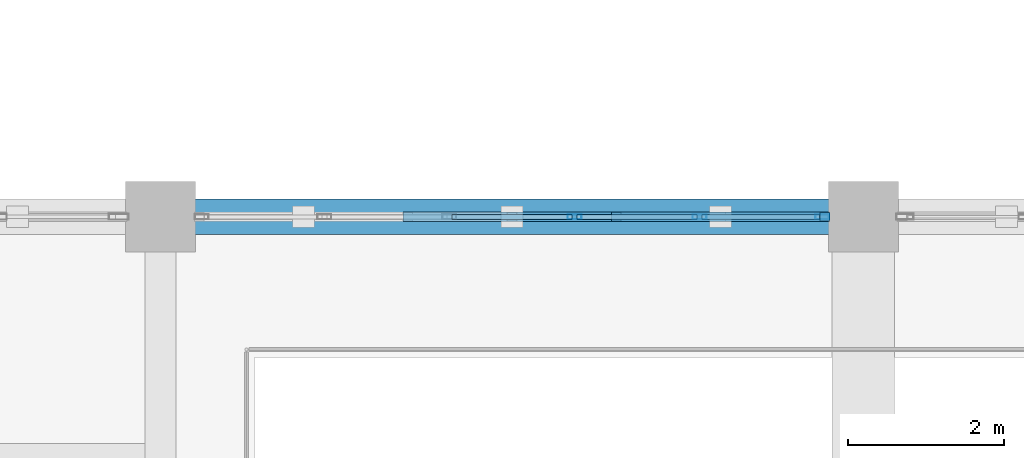
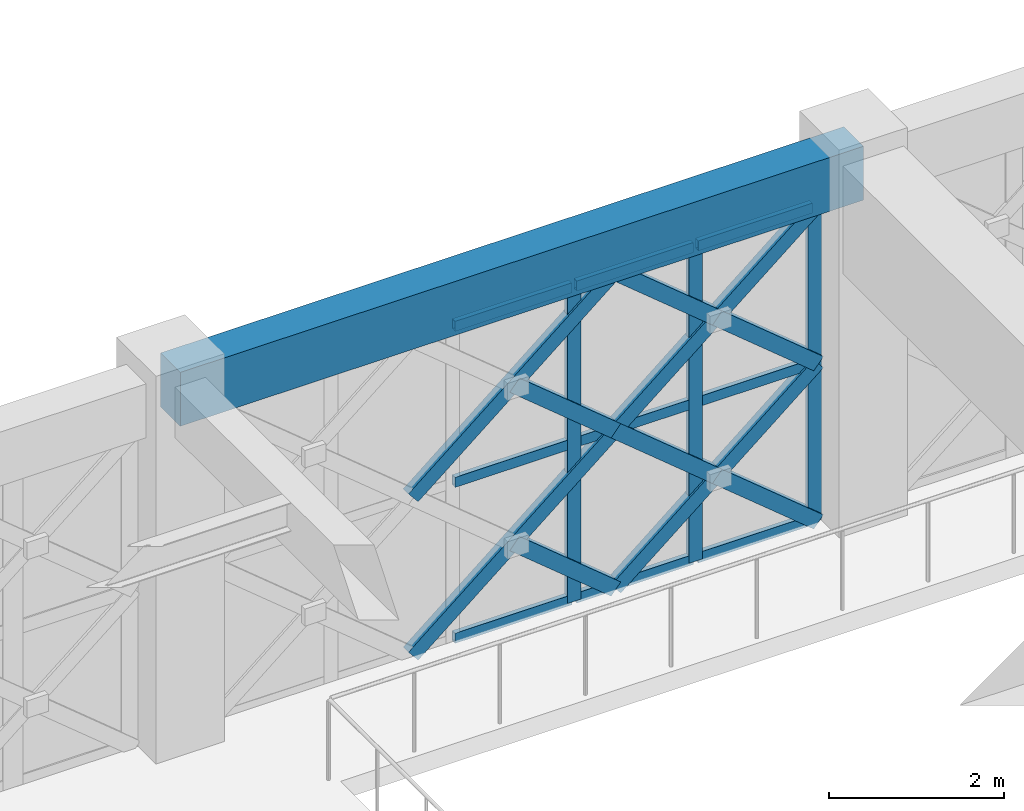
# One storey, part 60 of 155: 22 members, 1 beam, 1 element without a shape of its own.
"""IFC4 building model written with IfcOpenShell, lengths in metres."""

from ifc_helpers import new_model, si_unit, direction, frame, origin, origin_2d, place, context, subcontext, project, spatial, rectangle, hollow_rectangle, extrude, material, material_profile, profile_set, type_object, element, aggregate, save


model = new_model("IFC4")

# Units and contexts
model_context = context("Model", 3, precision=1e-05, world=origin(), true_north=direction((0.0, 1.0)))
body_context = subcontext(model_context, "Body", "Model", "MODEL_VIEW")
ifc_project = project(units=[si_unit("LENGTHUNIT", "METRE"), si_unit("AREAUNIT", "SQUARE_METRE"), si_unit("VOLUMEUNIT", "CUBIC_METRE"), si_unit("PLANEANGLEUNIT", "RADIAN"), si_unit("MASSUNIT", "GRAM", prefix="KILO")], contexts=[model_context])

# Site, building, storey
site_placement = place(None, origin())
site = spatial("IfcSite", under=ifc_project, at=site_placement, CompositionType="ELEMENT")
building_placement = place(site_placement, origin())
building = spatial("IfcBuilding", under=site, at=building_placement, Name="Haizhuo Lancet Aquarium", CompositionType="ELEMENT")
storey_placement = place(building_placement, frame((0.0, 0.0, 10.800048828125)))
storey = spatial("IfcBuildingStorey", under=building, at=storey_placement, Name="L02", CompositionType="ELEMENT", Elevation=10.800048828125)

# Beam
ifc_material_1 = material(Name="Concrete C40/50", Category="concrete")
ifc_material_profile_1 = material_profile(ifc_material_1, rectangle(XDim=0.449951171875, YDim=0.75, at=origin_2d()), Name="RC-BM 450x750")
ifc_profile_set_1 = profile_set([ifc_material_profile_1], Name="Concrete C40/50")
beam_type = type_object("IfcBeamType", Name="BM-RC-450x750", PredefinedType="BEAM", material=ifc_profile_set_1)
beam_placement = place(storey_placement, frame((36.0, -9.0, 4.784912109375), z_axis=(1.0, 0.0, 0.0), x_axis=(0.0, 1.0, 0.0)))
element("IfcBeam", 1, at=beam_placement, inside=storey, type_object=beam_type, Name="L02 V3 primary girder BM-L02-V3-012", PredefinedType="BEAM", context=body_context, shape_type="SweptSolid", body=[
    extrude(rectangle(XDim=0.449951171875, YDim=0.75, at=origin_2d()), origin(), (0.0, 0.0, 1.0), 9.0),
])

# Curtain wall, members
ifc_material_2 = material(Name="Aluminium 6063-T6", Category="aluminium")
curtain_wall_type = type_object("IfcCurtainWallType", Name="CWO-8010x4410", PredefinedType="NOTDEFINED", material=ifc_material_2)
curtain_wall_placement = place(storey_placement, origin())
curtain_wall = element("IfcCurtainWall", 2, at=curtain_wall_placement, inside=storey, type_object=curtain_wall_type, Name="L02 curtain wall CW-V3-L02-052", PredefinedType="NOTDEFINED")
ifc_material_profile_2 = material_profile(ifc_material_2, hollow_rectangle(XDim=0.06494140625, YDim=0.179931640625, WallThickness=0.00390625, at=origin_2d()), Name="ALU-M 65x180x4")
ifc_profile_set_2 = profile_set([ifc_material_profile_2], Name="Aluminium 6063-T6")
member_type_1 = type_object("IfcMemberType", Name="CW-MUL-1", PredefinedType="MULLION", material=ifc_profile_set_2)
member_1_placement = place(storey_placement, frame((41.301025390625, -9.0, 0.0), z_axis=(0.0, 0.0, 1.0), x_axis=(0.0, 1.0, 0.0)))
member_1 = element("IfcMember", 3, at=member_1_placement, type_object=member_type_1, Name="CWO-80x44 mullion 4", PredefinedType="MULLION", context=body_context, shape_type="SweptSolid", body=[
    extrude(hollow_rectangle(XDim=0.06494140625, YDim=0.179931640625, WallThickness=0.00390625, at=origin_2d()), origin(), (0.0, 0.0, 1.0), 4.409912109375),
])
member_2_placement = place(storey_placement, frame((42.903076171875, -9.0, 0.0), z_axis=(0.0, 0.0, 1.0), x_axis=(0.0, 1.0, 0.0)))
member_2 = element("IfcMember", 4, at=member_2_placement, type_object=member_type_1, Name="CWO-80x44 mullion 5", PredefinedType="MULLION", context=body_context, shape_type="SweptSolid", body=[
    extrude(hollow_rectangle(XDim=0.06494140625, YDim=0.179931640625, WallThickness=0.00390625, at=origin_2d()), origin(), (0.0, 0.0, 1.0), 4.409912109375),
])
member_3_placement = place(storey_placement, frame((44.472900390625, -9.0, 0.0), z_axis=(0.0, 0.0, 1.0), x_axis=(0.0, 1.0, 0.0)))
member_3 = element("IfcMember", 5, at=member_3_placement, type_object=member_type_1, Name="CWO-80x44 mullion 6", PredefinedType="MULLION", context=body_context, shape_type="SweptSolid", body=[
    extrude(hollow_rectangle(XDim=0.06494140625, YDim=0.179931640625, WallThickness=0.00390625, at=origin_2d()), origin(), (0.0, 0.0, 1.0), 4.409912109375),
])
ifc_material_profile_3 = material_profile(ifc_material_2, hollow_rectangle(XDim=0.06494140625, YDim=0.139892578125, WallThickness=0.00390625, at=origin_2d()), Name="ALU-T 65x140x4")
ifc_profile_set_3 = profile_set([ifc_material_profile_3], Name="Aluminium 6063-T6")
member_type_2 = type_object("IfcMemberType", Name="CW-TRN-1", PredefinedType="NOTDEFINED", material=ifc_profile_set_3)
member_4_placement = place(storey_placement, frame((39.73095703125, -9.0, 0.032958984375), z_axis=(1.0, 0.0, 0.0), x_axis=(0.0, 1.0, 0.0)))
member_4 = element("IfcMember", 6, at=member_4_placement, type_object=member_type_2, Name="CWO-80x44 transom 3.1", ObjectType="TRANSOM", PredefinedType="USERDEFINED", context=body_context, shape_type="SweptSolid", body=[
    extrude(hollow_rectangle(XDim=0.06494140625, YDim=0.139892578125, WallThickness=0.00390625, at=origin_2d()), origin(), (0.0, 0.0, 1.0), 1.5380859375),
])
member_5_placement = place(storey_placement, frame((39.73095703125, -9.0, 2.204833984375), z_axis=(1.0, 0.0, 0.0), x_axis=(0.0, 1.0, 0.0)))
member_5 = element("IfcMember", 7, at=member_5_placement, type_object=member_type_2, Name="CWO-80x44 transom 3.2", ObjectType="TRANSOM", PredefinedType="USERDEFINED", context=body_context, shape_type="SweptSolid", body=[
    extrude(hollow_rectangle(XDim=0.06494140625, YDim=0.139892578125, WallThickness=0.00390625, at=origin_2d()), origin(), (0.0, 0.0, 1.0), 1.5380859375),
])
member_6_placement = place(storey_placement, frame((39.73095703125, -9.0, 4.3779296875), z_axis=(1.0, 0.0, 0.0), x_axis=(0.0, 1.0, 0.0)))
member_6 = element("IfcMember", 8, at=member_6_placement, type_object=member_type_2, Name="CWO-80x44 transom 3.3", ObjectType="TRANSOM", PredefinedType="USERDEFINED", context=body_context, shape_type="SweptSolid", body=[
    extrude(hollow_rectangle(XDim=0.06494140625, YDim=0.139892578125, WallThickness=0.00390625, at=origin_2d()), origin(), (0.0, 0.0, 1.0), 1.5380859375),
])
member_7_placement = place(storey_placement, frame((41.333984375, -9.0, 0.032958984375), z_axis=(1.0, 0.0, 0.0), x_axis=(0.0, 1.0, 0.0)))
member_7 = element("IfcMember", 9, at=member_7_placement, type_object=member_type_2, Name="CWO-80x44 transom 4.1", ObjectType="TRANSOM", PredefinedType="USERDEFINED", context=body_context, shape_type="SweptSolid", body=[
    extrude(hollow_rectangle(XDim=0.06494140625, YDim=0.139892578125, WallThickness=0.00390625, at=origin_2d()), origin(), (0.0, 0.0, 1.0), 1.5361328125),
])
member_8_placement = place(storey_placement, frame((41.333984375, -9.0, 2.204833984375), z_axis=(1.0, 0.0, 0.0), x_axis=(0.0, 1.0, 0.0)))
member_8 = element("IfcMember", 10, at=member_8_placement, type_object=member_type_2, Name="CWO-80x44 transom 4.2", ObjectType="TRANSOM", PredefinedType="USERDEFINED", context=body_context, shape_type="SweptSolid", body=[
    extrude(hollow_rectangle(XDim=0.06494140625, YDim=0.139892578125, WallThickness=0.00390625, at=origin_2d()), origin(), (0.0, 0.0, 1.0), 1.5361328125),
])
member_9_placement = place(storey_placement, frame((41.333984375, -9.0, 4.3779296875), z_axis=(1.0, 0.0, 0.0), x_axis=(0.0, 1.0, 0.0)))
member_9 = element("IfcMember", 11, at=member_9_placement, type_object=member_type_2, Name="CWO-80x44 transom 4.3", ObjectType="TRANSOM", PredefinedType="USERDEFINED", context=body_context, shape_type="SweptSolid", body=[
    extrude(hollow_rectangle(XDim=0.06494140625, YDim=0.139892578125, WallThickness=0.00390625, at=origin_2d()), origin(), (0.0, 0.0, 1.0), 1.5361328125),
])
member_10_placement = place(storey_placement, frame((42.93603515625, -9.0, 0.032958984375), z_axis=(1.0, 0.0, 0.0), x_axis=(0.0, 1.0, 0.0)))
member_10 = element("IfcMember", 12, at=member_10_placement, type_object=member_type_2, Name="CWO-80x44 transom 5.1", ObjectType="TRANSOM", PredefinedType="USERDEFINED", context=body_context, shape_type="SweptSolid", body=[
    extrude(hollow_rectangle(XDim=0.06494140625, YDim=0.139892578125, WallThickness=0.00390625, at=origin_2d()), origin(), (0.0, 0.0, 1.0), 1.50390625),
])
member_11_placement = place(storey_placement, frame((42.93603515625, -9.0, 2.204833984375), z_axis=(1.0, 0.0, 0.0), x_axis=(0.0, 1.0, 0.0)))
member_11 = element("IfcMember", 13, at=member_11_placement, type_object=member_type_2, Name="CWO-80x44 transom 5.2", ObjectType="TRANSOM", PredefinedType="USERDEFINED", context=body_context, shape_type="SweptSolid", body=[
    extrude(hollow_rectangle(XDim=0.06494140625, YDim=0.139892578125, WallThickness=0.00390625, at=origin_2d()), origin(), (0.0, 0.0, 1.0), 1.50390625),
])
member_12_placement = place(storey_placement, frame((42.93603515625, -9.0, 4.3779296875), z_axis=(1.0, 0.0, 0.0), x_axis=(0.0, 1.0, 0.0)))
member_12 = element("IfcMember", 14, at=member_12_placement, type_object=member_type_2, Name="CWO-80x44 transom 5.3", ObjectType="TRANSOM", PredefinedType="USERDEFINED", context=body_context, shape_type="SweptSolid", body=[
    extrude(hollow_rectangle(XDim=0.06494140625, YDim=0.139892578125, WallThickness=0.00390625, at=origin_2d()), origin(), (0.0, 0.0, 1.0), 1.50390625),
])
aggregate(curtain_wall, [member_1, member_2, member_3, member_4, member_5, member_6, member_7, member_8, member_9, member_10, member_11, member_12])

# Members
ifc_material_3 = material(Name="Steel S355", Category="steel")
ifc_material_profile_4 = material_profile(ifc_material_3, hollow_rectangle(XDim=0.1201171875, YDim=0.199951171875, WallThickness=0.008056640625, at=origin_2d()), Name="RHS 120x200x8")
ifc_profile_set_4 = profile_set([ifc_material_profile_4], Name="Steel S355")
member_type_3 = type_object("IfcMemberType", Name="MEM-LB-RHS120x200", PredefinedType="BRACE", material=ifc_profile_set_4)
member_13_placement = place(storey_placement, frame((39.1650390625, -9.0, 0.0), z_axis=(0.771068610934, 0.0, 0.636752068887), x_axis=(0.0, 1.0, 0.0)))
element("IfcMember", 15, at=member_13_placement, inside=storey, type_object=member_type_3, Name="Gothic lancet continuous diagonal brace CW-V3-L02-052 3A", PredefinedType="BRACE", context=body_context, shape_type="SweptSolid", body=[
    extrude(hollow_rectangle(XDim=0.1201171875, YDim=0.199951171875, WallThickness=0.008056640625, at=origin_2d()), origin(), (0.0, 0.0, 1.0), 3.462646484375),
])
member_14_placement = place(storey_placement, frame((41.8349609375, -9.0, 0.0), z_axis=(-0.771172467693, 0.0, 0.63662628368), x_axis=(0.0, -1.0, 0.0)))
element("IfcMember", 16, at=member_14_placement, inside=storey, type_object=member_type_3, Name="Gothic lancet split diagonal brace CW-V3-L02-052 3B1", PredefinedType="BRACE", context=body_context, shape_type="SweptSolid", body=[
    extrude(hollow_rectangle(XDim=0.1201171875, YDim=0.199951171875, WallThickness=0.008056640625, at=origin_2d()), origin(), (0.0, 0.0, 1.0), 1.731201171875),
])
member_15_placement = place(storey_placement, frame((39.1650390625, -9.0, 2.204833984375), z_axis=(0.771033993673, 0.0, 0.636793985996), x_axis=(0.0, 1.0, 0.0)))
element("IfcMember", 17, at=member_15_placement, inside=storey, type_object=member_type_3, Name="Gothic lancet continuous diagonal brace CW-V3-L02-052 4A", PredefinedType="BRACE", context=body_context, shape_type="SweptSolid", body=[
    extrude(hollow_rectangle(XDim=0.1201171875, YDim=0.199951171875, WallThickness=0.008056640625, at=origin_2d()), origin(), (0.0, 0.0, 1.0), 3.462890625),
])
member_16_placement = place(storey_placement, frame((41.8349609375, -9.0, 2.204833984375), z_axis=(-0.770895532931, 0.0, 0.636961597985), x_axis=(0.0, -1.0, 0.0)))
element("IfcMember", 18, at=member_16_placement, inside=storey, type_object=member_type_3, Name="Gothic lancet split diagonal brace CW-V3-L02-052 4B1", PredefinedType="BRACE", context=body_context, shape_type="SweptSolid", body=[
    extrude(hollow_rectangle(XDim=0.1201171875, YDim=0.199951171875, WallThickness=0.008056640625, at=origin_2d()), origin(), (0.0, 0.0, 1.0), 1.731689453125),
])
member_17_placement = place(storey_placement, frame((41.8349609375, -9.0, 0.0), z_axis=(0.771068610934, 0.0, 0.636752068887), x_axis=(0.0, 1.0, 0.0)))
element("IfcMember", 19, at=member_17_placement, inside=storey, type_object=member_type_3, Name="Gothic lancet continuous diagonal brace CW-V3-L02-052 5A", PredefinedType="BRACE", context=body_context, shape_type="SweptSolid", body=[
    extrude(hollow_rectangle(XDim=0.1201171875, YDim=0.199951171875, WallThickness=0.008056640625, at=origin_2d()), origin(), (0.0, 0.0, 1.0), 3.462646484375),
])
member_18_placement = place(storey_placement, frame((44.5048828125, -9.0, 0.0), z_axis=(-0.771172467693, 0.0, 0.63662628368), x_axis=(0.0, -1.0, 0.0)))
element("IfcMember", 20, at=member_18_placement, inside=storey, type_object=member_type_3, Name="Gothic lancet split diagonal brace CW-V3-L02-052 5B1", PredefinedType="BRACE", context=body_context, shape_type="SweptSolid", body=[
    extrude(hollow_rectangle(XDim=0.1201171875, YDim=0.199951171875, WallThickness=0.008056640625, at=origin_2d()), origin(), (0.0, 0.0, 1.0), 1.731201171875),
])
member_19_placement = place(storey_placement, frame((43.169921875, -9.0, 1.10205078125), z_axis=(-0.77096476164, 0.0, 0.636877803279), x_axis=(0.0, -1.0, 0.0)))
element("IfcMember", 21, at=member_19_placement, inside=storey, type_object=member_type_3, Name="Gothic lancet split diagonal brace CW-V3-L02-052 5B2", PredefinedType="BRACE", context=body_context, shape_type="SweptSolid", body=[
    extrude(hollow_rectangle(XDim=0.1201171875, YDim=0.199951171875, WallThickness=0.008056640625, at=origin_2d()), origin(), (0.0, 0.0, 1.0), 1.7314453125),
])
member_20_placement = place(storey_placement, frame((41.8349609375, -9.0, 2.204833984375), z_axis=(0.771033993673, 0.0, 0.636793985996), x_axis=(0.0, 1.0, 0.0)))
element("IfcMember", 22, at=member_20_placement, inside=storey, type_object=member_type_3, Name="Gothic lancet continuous diagonal brace CW-V3-L02-052 6A", PredefinedType="BRACE", context=body_context, shape_type="SweptSolid", body=[
    extrude(hollow_rectangle(XDim=0.1201171875, YDim=0.199951171875, WallThickness=0.008056640625, at=origin_2d()), origin(), (0.0, 0.0, 1.0), 3.462890625),
])
member_21_placement = place(storey_placement, frame((44.5048828125, -9.0, 2.204833984375), z_axis=(-0.770895532931, 0.0, 0.636961597985), x_axis=(0.0, -1.0, 0.0)))
element("IfcMember", 23, at=member_21_placement, inside=storey, type_object=member_type_3, Name="Gothic lancet split diagonal brace CW-V3-L02-052 6B1", PredefinedType="BRACE", context=body_context, shape_type="SweptSolid", body=[
    extrude(hollow_rectangle(XDim=0.1201171875, YDim=0.199951171875, WallThickness=0.008056640625, at=origin_2d()), origin(), (0.0, 0.0, 1.0), 1.731689453125),
])
member_22_placement = place(storey_placement, frame((43.169921875, -9.0, 3.307861328125), z_axis=(-0.771172467693, 0.0, 0.63662628368), x_axis=(0.0, -1.0, 0.0)))
element("IfcMember", 24, at=member_22_placement, inside=storey, type_object=member_type_3, Name="Gothic lancet split diagonal brace CW-V3-L02-052 6B2", PredefinedType="BRACE", context=body_context, shape_type="SweptSolid", body=[
    extrude(hollow_rectangle(XDim=0.1201171875, YDim=0.199951171875, WallThickness=0.008056640625, at=origin_2d()), origin(), (0.0, 0.0, 1.0), 1.731201171875),
])

save(model, "model.ifc")
